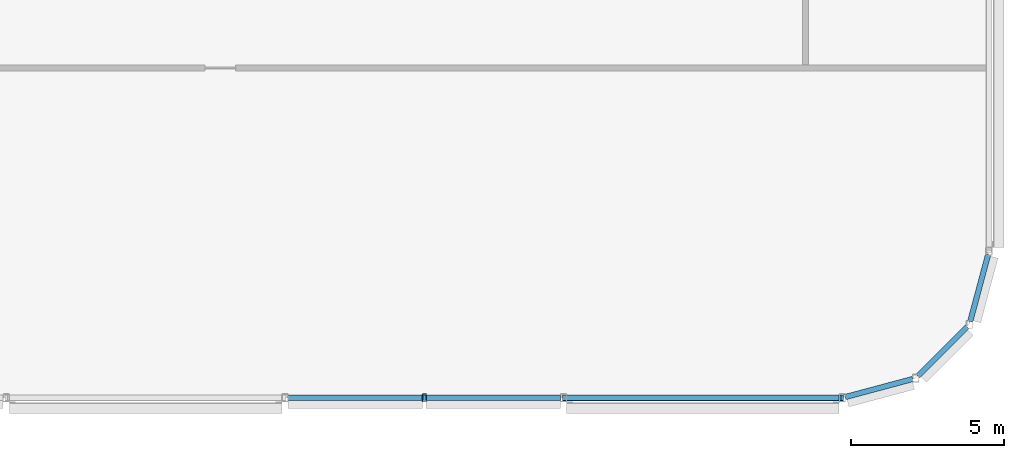
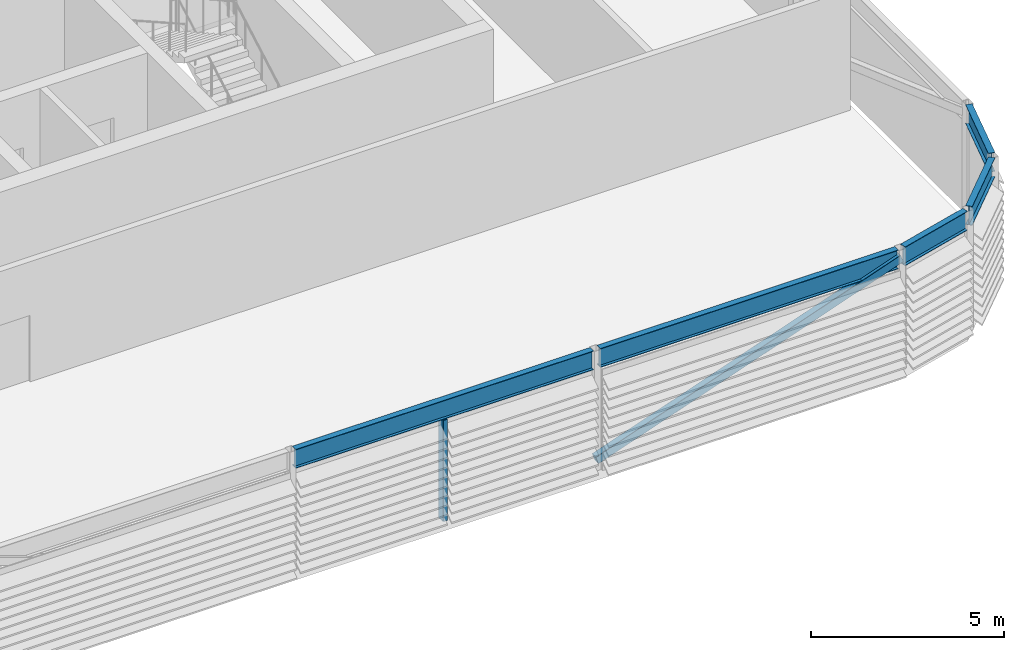
# One storey, part 8 of 28: 5 beams, 2 members.
"""IFC4 building model written with IfcOpenShell, lengths in metres."""

import ifcopenshell
import ifcopenshell.guid

model = None  # the IFC model being written
_history = None  # IfcOwnerHistory: only IFC2X3 demands one
_inside = {}  # id of a spatial element -> (the spatial element, [elements in it])
_under = {}  # id of a project, library or spatial element -> (it, [spatial elements below it])
_declared = {}  # id of a project -> (the project, [libraries it declares])
_typed = {}  # id of a type object -> (the type object, [elements of that type])
_made_of = {}  # id of a material, layer set ... -> (it, [elements and type objects made of it])


def new_model(schema):
    """Start an empty IFC model of exactly this schema.

    Asked for "IFC4X3", IfcOpenShell would pick the latest addendum, in which some entities
    have other attributes; the version numbers below select the first issue.
    IFC2X3 requires an IfcOwnerHistory on every rooted entity: one is made here for all.
    """
    global model, _history
    if schema == "IFC4X3":
        model = ifcopenshell.file(schema_version=(4, 3, 0, 0))
    else:
        model = ifcopenshell.file(schema=schema)
    _inside.clear()
    _under.clear()
    _declared.clear()
    _typed.clear()
    _made_of.clear()
    _history = None
    if model.schema == "IFC2X3":
        org = make("IfcOrganization", Name="unknown")
        user = make(
            "IfcPersonAndOrganization",
            ThePerson=make("IfcPerson", FamilyName="unknown"),
            TheOrganization=org,
        )
        app = make(
            "IfcApplication",
            ApplicationDeveloper=org,
            Version="unknown",
            ApplicationFullName="unknown",
            ApplicationIdentifier="unknown",
        )
        _history = make(
            "IfcOwnerHistory",
            OwningUser=user,
            OwningApplication=app,
            ChangeAction="ADDED",
            CreationDate=0,
        )
    return model


def make(cls, **values):
    """One entity of the class cls with the attributes given. An attribute that is None is left unset."""
    return model.create_entity(
        cls, **{name: value for name, value in values.items() if value is not None}
    )


def rooted(cls, **values):
    """An entity with a GlobalId (a new one), such as an element, a storey or a relation."""
    return make(cls, GlobalId=ifcopenshell.guid.new(), OwnerHistory=_history, **values)


def si_unit(unit_type, name, prefix=None):
    """IfcSIUnit, for example si_unit("LENGTHUNIT", "METRE", prefix="MILLI")."""
    return make("IfcSIUnit", UnitType=unit_type, Prefix=prefix, Name=name)


def assignment(units):
    """IfcUnitAssignment: the units of a project."""
    return None if units is None else make("IfcUnitAssignment", Units=units)


def point(xyz):
    """IfcCartesianPoint."""
    return None if xyz is None else make("IfcCartesianPoint", Coordinates=xyz)


def direction(xyz):
    """IfcDirection."""
    return None if xyz is None else make("IfcDirection", DirectionRatios=xyz)


def frame(location, z_axis=None, x_axis=None):
    """IfcAxis2Placement3D, a coordinate frame: its origin and axes. An axis left out is left unset."""
    return make(
        "IfcAxis2Placement3D",
        Location=point(location),
        Axis=direction(z_axis),
        RefDirection=direction(x_axis),
    )


def frame_2d(location, x_axis=None):
    """IfcAxis2Placement2D, a coordinate frame in the plane: its origin and x axis."""
    return make(
        "IfcAxis2Placement2D", Location=point(location), RefDirection=direction(x_axis)
    )


def origin():
    """The frame at (0, 0, 0) with its axes left unset."""
    return frame((0.0, 0.0, 0.0))


def origin_2d():
    """The frame at (0, 0) in the plane with its x axis left unset."""
    return frame_2d((0.0, 0.0))


def place(relative_to, where):
    """IfcLocalPlacement: puts the frame where relative to a parent placement (None: the world)."""
    return make(
        "IfcLocalPlacement", PlacementRelTo=relative_to, RelativePlacement=where
    )


def context(
    kind, dimensions, precision=None, world=None, true_north=None, identifier=None
):
    """IfcGeometricRepresentationContext, for example the 3D "Model" context."""
    return make(
        "IfcGeometricRepresentationContext",
        ContextIdentifier=identifier,
        ContextType=kind,
        CoordinateSpaceDimension=dimensions,
        Precision=precision,
        WorldCoordinateSystem=world,
        TrueNorth=true_north,
    )


def subcontext(parent, identifier, kind, view, scale=None):
    """IfcGeometricRepresentationSubContext, for example "Body" below "Model"."""
    return make(
        "IfcGeometricRepresentationSubContext",
        ContextIdentifier=identifier,
        ContextType=kind,
        ParentContext=parent,
        TargetScale=scale,
        TargetView=view,
    )


def project(units=None, contexts=None):
    """IfcProject with its units and contexts."""
    return rooted(
        "IfcProject",
        Name="project",
        RepresentationContexts=contexts,
        UnitsInContext=assignment(units),
    )


def spatial(cls, under=None, at=None, **own):
    """A site, building, storey or space (cls), placed at a placement, below another one or the project."""
    s = rooted(cls, ObjectPlacement=at, **own)
    if under is not None:
        _under.setdefault(under.id(), (under, []))[1].append(s)
    return s


def profile(cls, at=None, kind="AREA", **sizes):
    """A parametric profile (cls). Its sizes go by their IFC names, for example OverallWidth=200.0."""
    return make(cls, ProfileType=kind, Position=at, **sizes)


def hollow_rectangle(**sizes):
    """IfcRectangleHollowProfileDef."""
    return profile("IfcRectangleHollowProfileDef", **sizes)


def i_section(**sizes):
    """IfcIShapeProfileDef."""
    return profile("IfcIShapeProfileDef", **sizes)


def extrude(swept, where, along, depth):
    """IfcExtrudedAreaSolid: the profile swept, set in the frame where, extruded along a direction by depth."""
    return make(
        "IfcExtrudedAreaSolid",
        SweptArea=swept,
        Position=where,
        ExtrudedDirection=direction(along),
        Depth=depth,
    )


def shape(context_of_items, identifier, shape_type, items):
    """IfcShapeRepresentation: the items that make up one representation, for example the "Body"."""
    return make(
        "IfcShapeRepresentation",
        ContextOfItems=context_of_items,
        RepresentationIdentifier=identifier,
        RepresentationType=shape_type,
        Items=items,
    )


def material(Name=None, Category=None):
    """IfcMaterial."""
    return make("IfcMaterial", Name=Name, Category=Category)


def material_profile(
    of_material, cross_section, Name=None, Category=None, Priority=None
):
    """IfcMaterialProfile: a cross section and its material."""
    return make(
        "IfcMaterialProfile",
        Name=Name,
        Material=of_material,
        Profile=cross_section,
        Priority=Priority,
        Category=Category,
    )


def profile_set(profiles, Name=None, composite=None):
    """IfcMaterialProfileSet."""
    return make(
        "IfcMaterialProfileSet",
        Name=Name,
        MaterialProfiles=profiles,
        CompositeProfile=composite,
    )


def made_of(thing, what):
    """Note that an element or type object is made of a material, layer set ...; save() writes the relation."""
    if what is not None:
        _made_of.setdefault(what.id(), (what, []))[1].append(thing)
    return thing


def type_object(cls, material=None, **own):
    """A type object (cls), such as IfcWallType, which elements share."""
    return made_of(rooted(cls, **own), material)


def element(
    cls,
    number,
    at=None,
    inside=None,
    cuts=None,
    type_object=None,
    material=None,
    context=None,
    identifier="Body",
    shape_type=None,
    held_by="IfcProductDefinitionShape",
    body=None,
    shapes=None,
    **own,
):
    """One element of the class cls, such as IfcWall. Its Tag is "e" and its number.

    at: its placement. inside: the storey or other place that contains it. cuts: it is an
    opening in that element (IfcRelVoidsElement). A single representation is given by context,
    identifier, shape_type and body (its items); several are given by shapes. held_by: the class
    of the entity that holds the representations. save() writes the other relations.
    """
    e = rooted(cls, Tag="e%d" % number, ObjectPlacement=at, **own)
    if body is not None:
        shapes = [shape(context, identifier, shape_type, body)]
    if shapes is not None:
        e.Representation = make(held_by, Representations=shapes)
    if inside is not None:
        _inside.setdefault(inside.id(), (inside, []))[1].append(e)
    if cuts is not None:
        rooted(
            "IfcRelVoidsElement", RelatingBuildingElement=cuts, RelatedOpeningElement=e
        )
    if type_object is not None:
        _typed.setdefault(type_object.id(), (type_object, []))[1].append(e)
    return made_of(e, material)


def aggregate(whole, parts):
    """IfcRelAggregates: a whole, such as a stair, and the parts it consists of."""
    return rooted("IfcRelAggregates", RelatingObject=whole, RelatedObjects=parts)


def save(model, path):
    """Write the relations noted so far, then the file.

    IfcRelAggregates (storeys below a building ...), IfcRelContainedInSpatialStructure (elements
    in a storey), IfcRelDefinesByType, IfcRelAssociatesMaterial and IfcRelDeclares: one each for
    every whole, place, type object, material and project.
    """
    for whole, parts in _under.values():
        aggregate(whole, parts)
    for where, things in _inside.values():
        rooted(
            "IfcRelContainedInSpatialStructure",
            RelatedElements=things,
            RelatingStructure=where,
        )
    for kind, things in _typed.values():
        rooted("IfcRelDefinesByType", RelatedObjects=things, RelatingType=kind)
    for what, things in _made_of.values():
        rooted("IfcRelAssociatesMaterial", RelatedObjects=things, RelatingMaterial=what)
    for by, libraries in _declared.values():
        rooted("IfcRelDeclares", RelatingContext=by, RelatedDefinitions=libraries)
    model.write(path)


model = new_model("IFC4")

# Units and contexts
model_context = context("Model", 3, precision=1e-05, world=origin(), true_north=direction((0.0, 1.0)))
body_context = subcontext(model_context, "Body", "Model", "MODEL_VIEW")
ifc_project = project(units=[si_unit("LENGTHUNIT", "METRE"), si_unit("AREAUNIT", "SQUARE_METRE"), si_unit("VOLUMEUNIT", "CUBIC_METRE"), si_unit("PLANEANGLEUNIT", "RADIAN"), si_unit("MASSUNIT", "GRAM", prefix="KILO")], contexts=[model_context])

# Site, building, storey
site_placement = place(None, origin())
site = spatial("IfcSite", under=ifc_project, at=site_placement, CompositionType="ELEMENT")
building_placement = place(site_placement, origin())
building = spatial("IfcBuilding", under=site, at=building_placement, Name="Madar Terraces", CompositionType="ELEMENT")
storey_placement = place(building_placement, frame((0.0, 0.0, 305.89990234375)))
storey = spatial("IfcBuildingStorey", under=building, at=storey_placement, Name="L79", CompositionType="ELEMENT", Elevation=305.89990234375)

# Beams
ifc_material_1 = material(Name="Steel ASTM A992 Grade 50", Category="steel")
ifc_material_profile_1 = material_profile(ifc_material_1, i_section(OverallWidth=0.1787109375, OverallDepth=0.60205078125, WebThickness=0.010986328125, FlangeThickness=0.014892578125, at=origin_2d()), Name="W24x62")
ifc_profile_set_1 = profile_set([ifc_material_profile_1], Name="Steel ASTM A992 Grade 50")
beam_type = type_object("IfcBeamType", Name="CF2 W24x62", PredefinedType="BEAM", material=ifc_profile_set_1)
for number, where, z_axis, x_axis, name in (
    (1, (33.461669921875, 1.199951171875, 3.4990234375), (1.0, 0.0, 0.0), (0.0, 1.0, 0.0), "Crown frame ring beam CF2"),
    (2, (42.58154296875, 1.199951171875, 3.4990234375), (1.0, 0.0, 0.0), (0.0, 1.0, 0.0), "Crown frame ring beam CF2"),
):
    element("IfcBeam", number, at=place(storey_placement, frame(where, z_axis=z_axis, x_axis=x_axis)), inside=storey, type_object=beam_type, Name=name, PredefinedType="BEAM", context=body_context, shape_type="SweptSolid", body=[
        extrude(i_section(OverallWidth=0.1787109375, OverallDepth=0.60205078125, WebThickness=0.010986328125, FlangeThickness=0.014892578125, at=origin_2d()), origin(), (0.0, 0.0, 1.0), 8.916748046875),
    ])
beam_1_placement = place(storey_placement, frame((51.6982421875, 1.226318359375, 3.4990234375), z_axis=(0.965912700012, 0.258868028067, 0.0), x_axis=(-0.258868028067, 0.965912700012, 0.0)))
element("IfcBeam", 3, at=beam_1_placement, inside=storey, type_object=beam_type, Name="Crown frame ring beam CF2", PredefinedType="BEAM", context=body_context, shape_type="SweptSolid", body=[
    extrude(i_section(OverallWidth=0.1787109375, OverallDepth=0.60205078125, WebThickness=0.010986328125, FlangeThickness=0.014892578125, at=origin_2d()), origin(), (0.0, 0.0, 1.0), 2.281494140625),
])
beam_2_placement = place(storey_placement, frame((54.07177734375, 1.9150390625, 3.4990234375), z_axis=(0.707160287053, 0.707053271271, 0.0), x_axis=(-0.707053271271, 0.707160287053, 0.0)))
element("IfcBeam", 4, at=beam_2_placement, inside=storey, type_object=beam_type, Name="Crown frame ring beam CF2", PredefinedType="BEAM", context=body_context, shape_type="SweptSolid", body=[
    extrude(i_section(OverallWidth=0.1787109375, OverallDepth=0.60205078125, WebThickness=0.010986328125, FlangeThickness=0.014892578125, at=origin_2d()), origin(), (0.0, 0.0, 1.0), 2.28125),
])
beam_3_placement = place(storey_placement, frame((55.783203125, 3.6982421875, 3.4990234375), z_axis=(0.258868028067, 0.965912700012, 0.0), x_axis=(-0.965912700012, 0.258868028067, 0.0)))
element("IfcBeam", 5, at=beam_3_placement, inside=storey, type_object=beam_type, Name="Crown frame ring beam CF2", PredefinedType="BEAM", context=body_context, shape_type="SweptSolid", body=[
    extrude(i_section(OverallWidth=0.1787109375, OverallDepth=0.60205078125, WebThickness=0.010986328125, FlangeThickness=0.014892578125, at=origin_2d()), origin(), (0.0, 0.0, 1.0), 2.281494140625),
])

# Members
ifc_material_2 = material(Name="Steel ASTM A500 Grade C", Category="steel")
ifc_material_profile_2 = material_profile(ifc_material_2, hollow_rectangle(XDim=0.203125, YDim=0.25390625, WallThickness=0.009521484375, InnerFilletRadius=0.00439453125, OuterFilletRadius=0.01318359375, at=origin_2d()), Name="HSS10x8x.375")
ifc_profile_set_2 = profile_set([ifc_material_profile_2], Name="Steel ASTM A500 Grade C")
member_type_1 = type_object("IfcMemberType", Name="CF5 crown frame brace HSS10x8x.375", PredefinedType="BRACE", material=ifc_profile_set_2)
member_1_placement = place(storey_placement, frame((42.47998046875, 1.199951171875, 0.300048828125), z_axis=(0.943634451591, 0.0, 0.3309894587), x_axis=(0.0, 1.0, 0.0)))
element("IfcMember", 6, at=member_1_placement, inside=storey, type_object=member_type_1, Name="Crown frame brace CF5", PredefinedType="BRACE", context=body_context, shape_type="SweptSolid", body=[
    extrude(hollow_rectangle(XDim=0.203125, YDim=0.25390625, WallThickness=0.009521484375, InnerFilletRadius=0.00439453125, OuterFilletRadius=0.01318359375, at=origin_2d()), origin(), (0.0, 0.0, 1.0), 9.664794921875),
])
ifc_material_3 = material(Name="Steel ASTM A500 Grade C", Category="steel")
ifc_material_profile_3 = material_profile(ifc_material_3, hollow_rectangle(XDim=0.126953125, YDim=0.25390625, WallThickness=0.00634765625, InnerFilletRadius=0.0029296875, OuterFilletRadius=0.0087890625, at=origin_2d()), Name="HSS10x5x.25")
ifc_profile_set_3 = profile_set([ifc_material_profile_3], Name="Steel ASTM A500 Grade C")
member_type_2 = type_object("IfcMemberType", Name="LS2 HSS10x5x.25", PredefinedType="POST", material=ifc_profile_set_3)
member_2_placement = place(storey_placement, frame((37.919921875, 1.199951171875, 0.0), z_axis=(0.0, 0.0, 1.0), x_axis=(1.0, 0.0, 0.0)))
element("IfcMember", 7, at=member_2_placement, inside=storey, type_object=member_type_2, Name="Crown louvre post LS2", PredefinedType="POST", context=body_context, shape_type="SweptSolid", body=[
    extrude(hollow_rectangle(XDim=0.126953125, YDim=0.25390625, WallThickness=0.00634765625, InnerFilletRadius=0.0029296875, OuterFilletRadius=0.0087890625, at=origin_2d()), origin(), (0.0, 0.0, 1.0), 3.197998046875),
])

save(model, "model.ifc")
